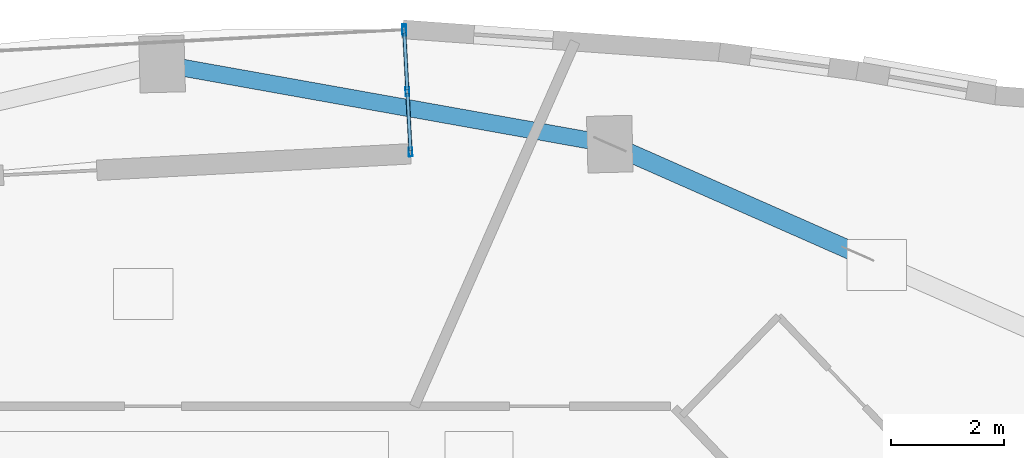
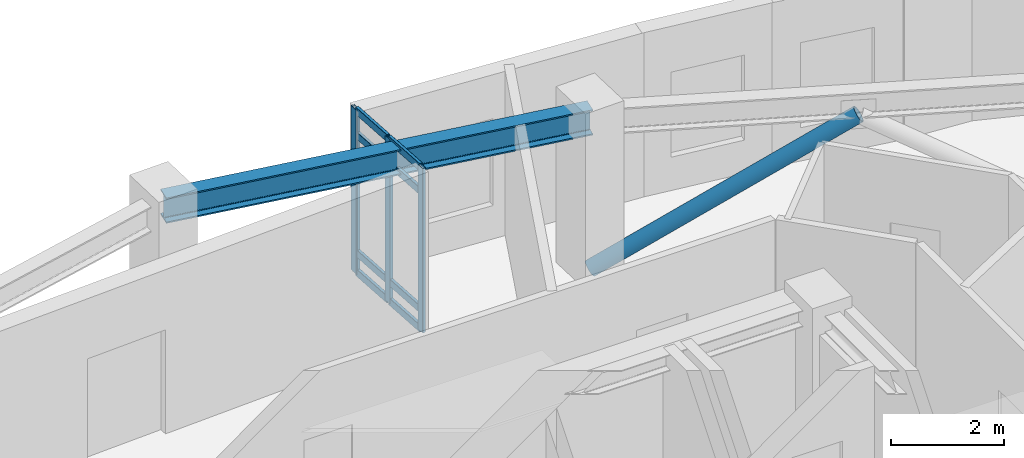
# One storey, part 3 of 12: 13 members, 1 beam, 1 element without a shape of its own.
"""IFC4 building model written with IfcOpenShell, lengths in metres."""

from ifc_helpers import new_model, si_unit, direction, frame, origin, origin_2d, place, context, subcontext, project, spatial, hollow_rectangle, hollow_circle, i_section, extrude, material, layer, layer_set, material_profile, profile_set, type_object, element, aggregate, save


model = new_model("IFC4")

# Units and contexts
model_context = context("Model", 3, precision=1e-05, world=origin(), true_north=direction((0.0, 1.0)))
body_context = subcontext(model_context, "Body", "Model", "MODEL_VIEW")
ifc_project = project(units=[si_unit("LENGTHUNIT", "METRE"), si_unit("AREAUNIT", "SQUARE_METRE"), si_unit("VOLUMEUNIT", "CUBIC_METRE"), si_unit("PLANEANGLEUNIT", "RADIAN"), si_unit("MASSUNIT", "GRAM", prefix="KILO")], contexts=[model_context])

# Site, building, storey
site_placement = place(None, origin())
site = spatial("IfcSite", under=ifc_project, at=site_placement, CompositionType="ELEMENT")
building_placement = place(site_placement, origin())
building = spatial("IfcBuilding", under=site, at=building_placement, Name="Ndelora Gate Hotel", CompositionType="ELEMENT")
storey_placement = place(building_placement, frame((0.0, 0.0, 220.75)))
storey = spatial("IfcBuildingStorey", under=building, at=storey_placement, Name="L55", CompositionType="ELEMENT", Elevation=220.75)

# Beam
ifc_material_1 = material(Name="Steel S355", Category="steel")
ifc_material_profile_1 = material_profile(ifc_material_1, i_section(OverallWidth=0.300048828125, OverallDepth=0.550048828125, WebThickness=0.014892578125, FlangeThickness=0.029052734375, FilletRadius=0.027099609375, at=origin_2d()), Name="HEB 550")
ifc_profile_set_1 = profile_set([ifc_material_profile_1], Name="Steel S355")
beam_type = type_object("IfcBeamType", Name="BM-RING-550", PredefinedType="SPANDREL", material=ifc_profile_set_1)
beam_placement = place(storey_placement, frame((7.50830078125, 13.828369140625, 3.27490234375), z_axis=(-0.984373619655, 0.176092523767, 0.0), x_axis=(-0.176092523767, -0.984373619655, 0.0)))
element("IfcBeam", 1, at=beam_placement, inside=storey, type_object=beam_type, Name="L55 Perimeter Spandrel Girder 10", PredefinedType="SPANDREL", context=body_context, shape_type="SweptSolid", body=[
    extrude(i_section(OverallWidth=0.300048828125, OverallDepth=0.550048828125, WebThickness=0.014892578125, FlangeThickness=0.029052734375, FilletRadius=0.027099609375, at=origin_2d()), origin(), (0.0, 0.0, 1.0), 8.032958984375),
])

# Curtain wall, members
ifc_material_2 = material(Name="Bronze Anodised Unitised Aluminium and Low-E Glass", Category="aluminium")
ifc_layer = layer(ifc_material_2, 0.199951171875)
ifc_layer_set = layer_set([ifc_layer], Name="Bronze Anodised Unitised Aluminium and Low-E Glass")
curtain_wall_type = type_object("IfcCurtainWallType", Name="CW-SYS-3", PredefinedType="NOTDEFINED", material=ifc_layer_set)
curtain_wall_placement = place(storey_placement, origin())
curtain_wall = element("IfcCurtainWall", 2, at=curtain_wall_placement, inside=storey, type_object=curtain_wall_type, Name="L55 Sky-Garden Loggia Side Curtain Wall CW3-1", PredefinedType="NOTDEFINED")
ifc_material_3 = material(Name="Bronze Anodised Aluminium 6063-T6", Category="aluminium")
ifc_material_profile_2 = material_profile(ifc_material_3, hollow_rectangle(XDim=0.06494140625, YDim=0.159912109375, WallThickness=0.00390625, InnerFilletRadius=0.00390625, OuterFilletRadius=0.008056640625, at=origin_2d()), Name="ALU 160x65x4")
ifc_profile_set_2 = profile_set([ifc_material_profile_2], Name="Bronze Anodised Aluminium 6063-T6")
member_type_1 = type_object("IfcMemberType", Name="MB-CW-MUL150", PredefinedType="MULLION", material=ifc_profile_set_2)
member_1_placement = place(storey_placement, frame((3.989013671875, 13.68994140625, -0.00390625), z_axis=(0.0, 0.0, 1.0), x_axis=(-0.998630482257, -0.052317873695, 0.0)))
member_1 = element("IfcMember", 3, at=member_1_placement, type_object=member_type_1, Name="CW3 mullion 1", PredefinedType="MULLION", context=body_context, shape_type="SweptSolid", body=[
    extrude(hollow_rectangle(XDim=0.06494140625, YDim=0.159912109375, WallThickness=0.00390625, InnerFilletRadius=0.00390625, OuterFilletRadius=0.008056640625, at=origin_2d()), origin(), (0.0, 0.0, 1.0), 3.557861328125),
])
member_2_placement = place(storey_placement, frame((3.93310546875, 14.756103515625, -0.00390625), z_axis=(0.0, 0.0, 1.0), x_axis=(-0.998630482257, -0.052317873695, 0.0)))
member_2 = element("IfcMember", 4, at=member_2_placement, type_object=member_type_1, Name="CW3 mullion 2", PredefinedType="MULLION", context=body_context, shape_type="SweptSolid", body=[
    extrude(hollow_rectangle(XDim=0.06494140625, YDim=0.159912109375, WallThickness=0.00390625, InnerFilletRadius=0.00390625, OuterFilletRadius=0.008056640625, at=origin_2d()), origin(), (0.0, 0.0, 1.0), 3.557861328125),
])
member_3_placement = place(storey_placement, frame((3.877197265625, 15.822021484375, -0.00390625), z_axis=(0.0, 0.0, 1.0), x_axis=(-0.998630482257, -0.052317873695, 0.0)))
member_3 = element("IfcMember", 5, at=member_3_placement, type_object=member_type_1, Name="CW3 mullion 3", PredefinedType="MULLION", context=body_context, shape_type="SweptSolid", body=[
    extrude(hollow_rectangle(XDim=0.06494140625, YDim=0.159912109375, WallThickness=0.00390625, InnerFilletRadius=0.00390625, OuterFilletRadius=0.008056640625, at=origin_2d()), origin(), (0.0, 0.0, 1.0), 3.557861328125),
])
ifc_material_profile_3 = material_profile(ifc_material_3, hollow_rectangle(XDim=0.070068359375, YDim=0.179931640625, WallThickness=0.0048828125, InnerFilletRadius=0.0048828125, OuterFilletRadius=0.010009765625, at=origin_2d()), Name="ALU 180x70x5")
ifc_profile_set_3 = profile_set([ifc_material_profile_3], Name="Bronze Anodised Aluminium 6063-T6")
member_type_2 = type_object("IfcMemberType", Name="MB-CW-MUL180", PredefinedType="MULLION", material=ifc_profile_set_3)
member_4_placement = place(storey_placement, frame((3.87548828125, 15.8544921875, 0.0), z_axis=(0.0, 0.0, 1.0), x_axis=(1.0, 0.0, 0.0)))
member_4 = element("IfcMember", 6, at=member_4_placement, type_object=member_type_2, Name="L55 Sky-Garden Loggia Corner Mullion Post 1", PredefinedType="MULLION", context=body_context, shape_type="SweptSolid", body=[
    extrude(hollow_rectangle(XDim=0.070068359375, YDim=0.179931640625, WallThickness=0.0048828125, InnerFilletRadius=0.0048828125, OuterFilletRadius=0.010009765625, at=origin_2d()), origin(), (0.0, 0.0, 1.0), 3.550048828125),
])
ifc_material_profile_4 = material_profile(ifc_material_3, hollow_rectangle(XDim=0.06494140625, YDim=0.159912109375, WallThickness=0.00390625, InnerFilletRadius=0.00390625, OuterFilletRadius=0.008056640625, at=origin_2d()), Name="ALU 160x65x4")
ifc_profile_set_4 = profile_set([ifc_material_profile_4], Name="Bronze Anodised Aluminium 6063-T6")
member_type_3 = type_object("IfcMemberType", Name="MB-CW-TRN150", PredefinedType="USERDEFINED", material=ifc_profile_set_4)
member_5_placement = place(storey_placement, frame((3.987548828125, 13.71630859375, 0.032470703125), z_axis=(-0.052217819525, 0.998635719031, 0.0), x_axis=(-0.998635719031, -0.052217819525, 0.0)))
member_5 = element("IfcMember", 7, at=member_5_placement, type_object=member_type_3, Name="CW3 transom 1.1", ObjectType="TRANSOM", PredefinedType="USERDEFINED", context=body_context, shape_type="SweptSolid", body=[
    extrude(hollow_rectangle(XDim=0.06494140625, YDim=0.159912109375, WallThickness=0.00390625, InnerFilletRadius=0.00390625, OuterFilletRadius=0.008056640625, at=origin_2d()), origin(), (0.0, 0.0, 1.0), 1.0146484375),
])
member_6_placement = place(storey_placement, frame((3.987548828125, 13.71630859375, 0.449951171875), z_axis=(-0.052217819525, 0.998635719031, 0.0), x_axis=(-0.998635719031, -0.052217819525, 0.0)))
member_6 = element("IfcMember", 8, at=member_6_placement, type_object=member_type_3, Name="CW3 transom 1.2", ObjectType="TRANSOM", PredefinedType="USERDEFINED", context=body_context, shape_type="SweptSolid", body=[
    extrude(hollow_rectangle(XDim=0.06494140625, YDim=0.159912109375, WallThickness=0.00390625, InnerFilletRadius=0.00390625, OuterFilletRadius=0.008056640625, at=origin_2d()), origin(), (0.0, 0.0, 1.0), 1.0146484375),
])
member_7_placement = place(storey_placement, frame((3.987548828125, 13.71630859375, 3.0), z_axis=(-0.052217819525, 0.998635719031, 0.0), x_axis=(-0.998635719031, -0.052217819525, 0.0)))
member_7 = element("IfcMember", 9, at=member_7_placement, type_object=member_type_3, Name="CW3 transom 1.3", ObjectType="TRANSOM", PredefinedType="USERDEFINED", context=body_context, shape_type="SweptSolid", body=[
    extrude(hollow_rectangle(XDim=0.06494140625, YDim=0.159912109375, WallThickness=0.00390625, InnerFilletRadius=0.00390625, OuterFilletRadius=0.008056640625, at=origin_2d()), origin(), (0.0, 0.0, 1.0), 1.0146484375),
])
member_8_placement = place(storey_placement, frame((3.987548828125, 13.71630859375, 3.517578125), z_axis=(-0.052217819525, 0.998635719031, 0.0), x_axis=(-0.998635719031, -0.052217819525, 0.0)))
member_8 = element("IfcMember", 10, at=member_8_placement, type_object=member_type_3, Name="CW3 transom 1.4", ObjectType="TRANSOM", PredefinedType="USERDEFINED", context=body_context, shape_type="SweptSolid", body=[
    extrude(hollow_rectangle(XDim=0.06494140625, YDim=0.159912109375, WallThickness=0.00390625, InnerFilletRadius=0.00390625, OuterFilletRadius=0.008056640625, at=origin_2d()), origin(), (0.0, 0.0, 1.0), 1.0146484375),
])
member_9_placement = place(storey_placement, frame((3.931884765625, 14.782470703125, 0.032470703125), z_axis=(-0.052457793968, 0.998623142057, 0.0), x_axis=(-0.998623142057, -0.052457793968, 0.0)))
member_9 = element("IfcMember", 11, at=member_9_placement, type_object=member_type_3, Name="CW3 transom 2.1", ObjectType="TRANSOM", PredefinedType="USERDEFINED", context=body_context, shape_type="SweptSolid", body=[
    extrude(hollow_rectangle(XDim=0.06494140625, YDim=0.159912109375, WallThickness=0.00390625, InnerFilletRadius=0.00390625, OuterFilletRadius=0.008056640625, at=origin_2d()), origin(), (0.0, 0.0, 1.0), 1.0146484375),
])
member_10_placement = place(storey_placement, frame((3.931884765625, 14.782470703125, 0.449951171875), z_axis=(-0.052457793968, 0.998623142057, 0.0), x_axis=(-0.998623142057, -0.052457793968, 0.0)))
member_10 = element("IfcMember", 12, at=member_10_placement, type_object=member_type_3, Name="CW3 transom 2.2", ObjectType="TRANSOM", PredefinedType="USERDEFINED", context=body_context, shape_type="SweptSolid", body=[
    extrude(hollow_rectangle(XDim=0.06494140625, YDim=0.159912109375, WallThickness=0.00390625, InnerFilletRadius=0.00390625, OuterFilletRadius=0.008056640625, at=origin_2d()), origin(), (0.0, 0.0, 1.0), 1.0146484375),
])
member_11_placement = place(storey_placement, frame((3.931884765625, 14.782470703125, 3.0), z_axis=(-0.052457793968, 0.998623142057, 0.0), x_axis=(-0.998623142057, -0.052457793968, 0.0)))
member_11 = element("IfcMember", 13, at=member_11_placement, type_object=member_type_3, Name="CW3 transom 2.3", ObjectType="TRANSOM", PredefinedType="USERDEFINED", context=body_context, shape_type="SweptSolid", body=[
    extrude(hollow_rectangle(XDim=0.06494140625, YDim=0.159912109375, WallThickness=0.00390625, InnerFilletRadius=0.00390625, OuterFilletRadius=0.008056640625, at=origin_2d()), origin(), (0.0, 0.0, 1.0), 1.0146484375),
])
member_12_placement = place(storey_placement, frame((3.931884765625, 14.782470703125, 3.517578125), z_axis=(-0.052457793968, 0.998623142057, 0.0), x_axis=(-0.998623142057, -0.052457793968, 0.0)))
member_12 = element("IfcMember", 14, at=member_12_placement, type_object=member_type_3, Name="CW3 transom 2.4", ObjectType="TRANSOM", PredefinedType="USERDEFINED", context=body_context, shape_type="SweptSolid", body=[
    extrude(hollow_rectangle(XDim=0.06494140625, YDim=0.159912109375, WallThickness=0.00390625, InnerFilletRadius=0.00390625, OuterFilletRadius=0.008056640625, at=origin_2d()), origin(), (0.0, 0.0, 1.0), 1.0146484375),
])
aggregate(curtain_wall, [member_1, member_2, member_3, member_5, member_6, member_7, member_8, member_9, member_10, member_11, member_12, member_4])

# Member
ifc_material_profile_5 = material_profile(ifc_material_1, hollow_circle(Radius=0.161865234375, WallThickness=0.01611328125, at=origin_2d()), Name="CHS 323.9x16")
ifc_profile_set_5 = profile_set([ifc_material_profile_5], Name="Steel S355")
member_type_4 = type_object("IfcMemberType", Name="MB-TUBE-324", PredefinedType="BRACE", material=ifc_profile_set_5)
member_13_placement = place(storey_placement, frame((7.50830078125, 13.828369140625, 0.02001953125), z_axis=(0.776468021432, -0.342791310734, 0.52876415251), x_axis=(0.40386888854, 0.914816878326, 0.0)))
element("IfcMember", 15, at=member_13_placement, inside=storey, type_object=member_type_4, Name="L55 Perimeter Braced-Tube Diagonal 9B", PredefinedType="BRACE", context=body_context, shape_type="SweptSolid", body=[
    extrude(hollow_circle(Radius=0.161865234375, WallThickness=0.01611328125, at=origin_2d()), origin(), (0.0, 0.0, 1.0), 5.6357421875),
])

save(model, "model.ifc")
